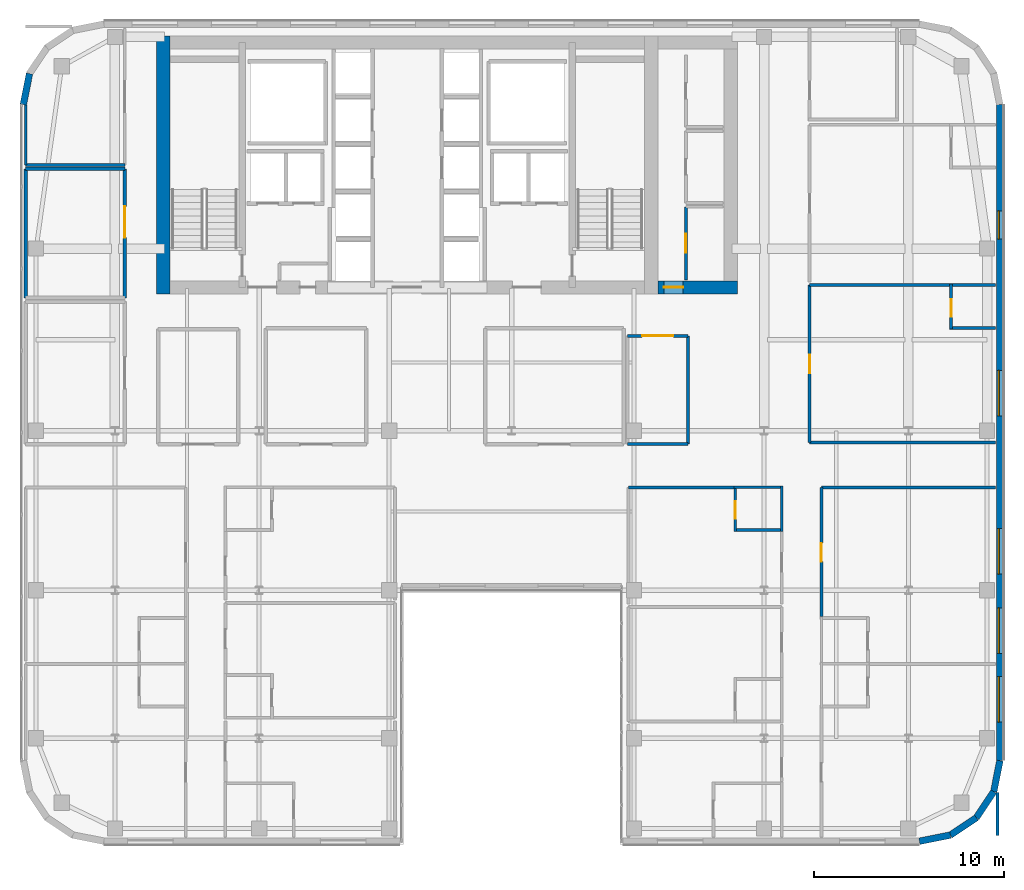
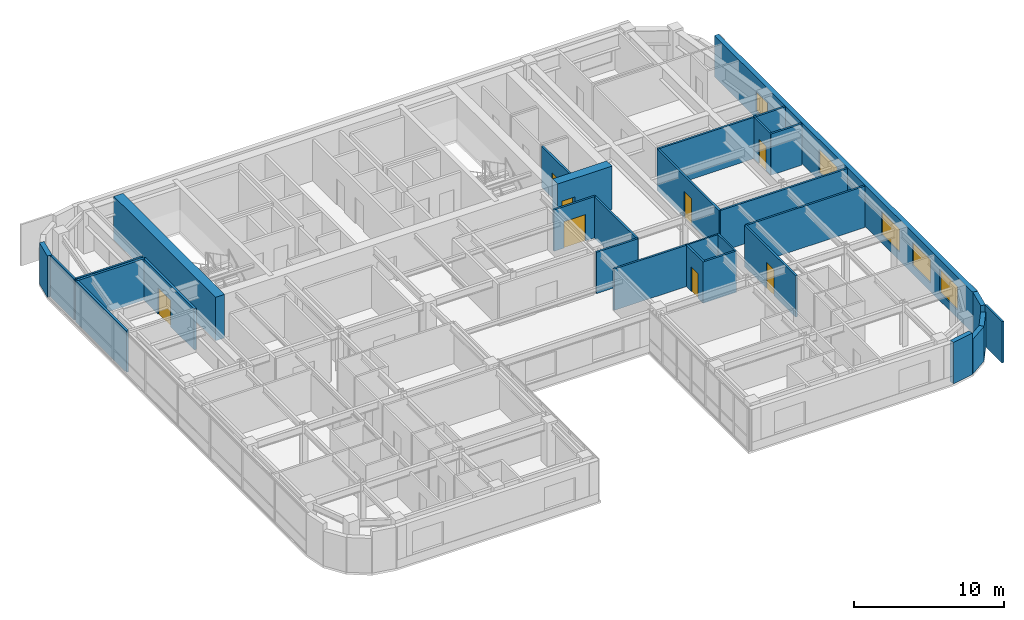
# One storey, part 20 of 28: 31 walls, 8 doors, 5 windows, 13 openings.
"""IFC4 building model written with IfcOpenShell, lengths in metres."""

from ifc_helpers import new_model, si_unit, direction, frame, frame_2d, origin, place, context, subcontext, project, spatial, rectangle, extrude, source, transform, mapped, material, layer, layer_set, type_object, type_shapes, element, fill, save


model = new_model("IFC4")

# Units and contexts
model_context = context("Model", 3, precision=1e-05, world=origin(), true_north=direction((0.0, 1.0)))
body_context = subcontext(model_context, "Body", "Model", "MODEL_VIEW")
ifc_project = project(units=[si_unit("LENGTHUNIT", "METRE"), si_unit("AREAUNIT", "SQUARE_METRE"), si_unit("VOLUMEUNIT", "CUBIC_METRE"), si_unit("PLANEANGLEUNIT", "RADIAN"), si_unit("MASSUNIT", "GRAM", prefix="KILO")], contexts=[model_context])

# Site, building, storey
site_placement = place(None, origin())
site = spatial("IfcSite", under=ifc_project, at=site_placement, CompositionType="ELEMENT")
building_placement = place(site_placement, origin())
building = spatial("IfcBuilding", under=site, at=building_placement, Name="Tolvann Quenvar Hotel", CompositionType="ELEMENT")
storey_placement = place(building_placement, frame((0.0, 0.0, 198.199951171875)))
storey = spatial("IfcBuildingStorey", under=building, at=storey_placement, Name="L52", CompositionType="ELEMENT", Elevation=198.199951171875)

# Wall
ifc_material_1 = material(Name="Concrete S65 (65 MPa)", Category="concrete")
ifc_layer_1 = layer(ifc_material_1, 0.699951171875)
ifc_layer_set_1 = layer_set([ifc_layer_1], Name="Concrete S65 (65 MPa)")
wall_type_1 = type_object("IfcWallType", Name="WALL_CORE_700", PredefinedType="SHEAR", material=ifc_layer_set_1)
wall_1_placement = place(storey_placement, frame((10.14990234375, 31.60009765625, 0.0), z_axis=(0.0, 0.0, 1.0), x_axis=(0.0, 1.0, 0.0)))
element("IfcWall", 1, at=wall_1_placement, inside=storey, type_object=wall_type_1, Name="Rear Core W Shear Wall (L52)", PredefinedType="SHEAR", context=body_context, shape_type="SweptSolid", body=[
    extrude(rectangle(XDim=13.599853515625, YDim=0.699951171875, at=frame_2d((6.7998046875, 0.0))), origin(), (0.0, 0.0, 1.0), 3.550048828125),
])

# Wall, opening, door
wall_2_placement = place(storey_placement, frame((36.199951171875, 31.949951171875, 0.0), z_axis=(0.0, 0.0, 1.0), x_axis=(1.0, 0.0, 0.0)))
wall_2 = element("IfcWall", 2, at=wall_2_placement, inside=storey, type_object=wall_type_1, Name="Core East Annex Shear Wall ANN-S (L52)", PredefinedType="SHEAR", context=body_context, shape_type="SweptSolid", body=[
    extrude(rectangle(XDim=4.199951171875, YDim=0.699951171875, at=frame_2d((2.10009765625, 0.0))), origin(), (0.0, 0.0, 1.0), 3.550048828125),
])
opening_1_placement = place(wall_2_placement, frame((1.340087890625, 0.0, 0.0), z_axis=(0.0, 0.0, 1.0), x_axis=(-1.0, 0.0, 0.0)))
opening_1 = element("IfcOpeningElement", 3, at=opening_1_placement, cuts=wall_2, Name="Opening HD-01", PredefinedType="OPENING", context=body_context, shape_type="SweptSolid", body=[
    extrude(rectangle(XDim=1.02001953125, YDim=2.030029296875, at=frame_2d((0.510009765625, 1.01513671875))), frame((0.0, 0.35986328125, 0.0), z_axis=(0.0, -1.0, 0.0), x_axis=(1.0, 0.0, 0.0)), (0.0, 0.0, 1.0), 0.719970703125),
])
ifc_material_2 = material(Name="Pressed galvanised steel fire-rated door set", Category="steel")
door_type_1 = type_object("IfcDoorType", Name="DOOR_BOH_1020", OperationType="NOTDEFINED", PredefinedType="DOOR", material=ifc_material_2)
shared_shape_1 = source(origin(), body_context, "Body", "SweptSolid", [
    extrude(rectangle(XDim=1.02001953125, YDim=2.030029296875, at=frame_2d((0.510009765625, 1.01513671875))), frame((0.0, 0.02490234375, 0.0), z_axis=(0.0, -1.0, 0.0), x_axis=(1.0, 0.0, 0.0)), (0.0, 0.0, 1.0), 0.050048828125),
])
type_shapes(door_type_1, [shared_shape_1])
door_1_placement = place(opening_1_placement, origin())
door_1 = element("IfcDoor", 4, at=door_1_placement, inside=storey, type_object=door_type_1, Name="Housekeeping Annex Fire Door (L52)", OperationType="SINGLE_SWING_LEFT", OverallHeight=2.030029296875, OverallWidth=1.02001953125, PredefinedType="DOOR", context=body_context, shape_type="MappedRepresentation", body=[
    mapped(shared_shape_1, transform((0.0, 0.0, 0.0), x_axis=(1.0, 0.0, 0.0), y_axis=(0.0, 1.0, 0.0), z_axis=(0.0, 0.0, 1.0), scale=1.0)),
])
fill(opening_1, door_1)

# Walls
ifc_material_3 = material(Name="Kiln-fired red and buff architectural clay brickwork and terracotta masonry", Category="masonry")
ifc_layer_2 = layer(ifc_material_3, 0.35009765625)
ifc_layer_set_2 = layer_set([ifc_layer_2], Name="Kiln-fired red and buff architectural clay brickwork and terracotta masonry")
wall_type_2 = type_object("IfcWallType", Name="WALL_EXT_BRICK_350", PredefinedType="SOLIDWALL", material=ifc_layer_set_2)
wall_3_placement = place(storey_placement, frame((49.98291015625, 2.77490234375, 0.0), z_axis=(0.0, 0.0, 1.0), x_axis=(0.980788844421, 0.195072403631, 0.0)))
element("IfcWall", 5, at=wall_3_placement, inside=storey, type_object=wall_type_2, Name="Exterior Chicago Brick Wall L52-E09", PredefinedType="SOLIDWALL", context=body_context, shape_type="SweptSolid", body=[
    extrude(rectangle(XDim=1.66455078125, YDim=0.35009765625, at=frame_2d((0.832275390625, 0.0))), origin(), (0.0, 0.0, 1.0), 3.3701171875),
])
for number, where, z_axis, x_axis, name in (
    (6, (51.615478515625, 3.099609375, 0.0), (0.0, 0.0, 1.0), (0.831434158098, 0.555623290322, 0.0), "Exterior Chicago Brick Wall L52-E10"),
    (7, (52.985107421875, 4.014892578125, 0.0), (0.0, 0.0, 1.0), (0.555623290322, 0.831434158098, 0.0), "Exterior Chicago Brick Wall L52-E11"),
):
    element("IfcWall", number, at=place(storey_placement, frame(where, z_axis=z_axis, x_axis=x_axis)), inside=storey, type_object=wall_type_2, Name=name, PredefinedType="SOLIDWALL", context=body_context, shape_type="SweptSolid", body=[
        extrude(rectangle(XDim=1.647216796875, YDim=0.35009765625, at=frame_2d((0.82373046875, 0.0))), origin(), (0.0, 0.0, 1.0), 2.83203125),
    ])
wall_4_placement = place(storey_placement, frame((53.900390625, 5.384521484375, 0.0), z_axis=(0.0, 0.0, 1.0), x_axis=(0.195072403631, 0.980788844421, 0.0)))
element("IfcWall", 8, at=wall_4_placement, inside=storey, type_object=wall_type_2, Name="Exterior Chicago Brick Wall L52-E12", PredefinedType="SOLIDWALL", context=body_context, shape_type="SweptSolid", body=[
    extrude(rectangle(XDim=1.66455078125, YDim=0.35009765625, at=frame_2d((0.832275390625, 0.0))), origin(), (0.0, 0.0, 1.0), 3.3701171875),
])

# Wall, openings, windows
wall_5_placement = place(storey_placement, frame((54.22509765625, 7.01708984375, 0.0), z_axis=(0.0, 0.0, 1.0), x_axis=(0.0, 1.0, 0.0)))
wall_5 = element("IfcWall", 9, at=wall_5_placement, inside=storey, type_object=wall_type_2, Name="Exterior Chicago Brick Wall L52-E13", PredefinedType="SOLIDWALL", context=body_context, shape_type="SweptSolid", body=[
    extrude(rectangle(XDim=34.565673828125, YDim=0.35009765625, at=frame_2d((17.28271484375, 0.0))), origin(), (0.0, 0.0, 1.0), 3.3701171875),
])
opening_2_placement = place(wall_5_placement, frame((2.034912109375, 0.0, 0.679931640625)))
opening_2 = element("IfcOpeningElement", 10, at=opening_2_placement, cuts=wall_5, Name="Opening W-01", PredefinedType="OPENING", context=body_context, shape_type="SweptSolid", body=[
    extrude(rectangle(XDim=2.39990234375, YDim=1.89990234375, at=frame_2d((1.199951171875, 0.949951171875))), frame((0.0, 0.18505859375, 0.0), z_axis=(0.0, -1.0, 0.0), x_axis=(1.0, 0.0, 0.0)), (0.0, 0.0, 1.0), 0.3701171875),
])
opening_3_placement = place(wall_5_placement, frame((5.656005859375, 0.0, 0.679931640625)))
opening_3 = element("IfcOpeningElement", 11, at=opening_3_placement, cuts=wall_5, Name="Opening W-01", PredefinedType="OPENING", context=body_context, shape_type="SweptSolid", body=[
    extrude(rectangle(XDim=2.39990234375, YDim=1.89990234375, at=frame_2d((1.199951171875, 0.949951171875))), frame((0.0, 0.18505859375, 0.0), z_axis=(0.0, -1.0, 0.0), x_axis=(1.0, 0.0, 0.0)), (0.0, 0.0, 1.0), 0.3701171875),
])
opening_4_placement = place(wall_5_placement, frame((9.826904296875, 0.0, 0.679931640625)))
opening_4 = element("IfcOpeningElement", 12, at=opening_4_placement, cuts=wall_5, Name="Opening W-01", PredefinedType="OPENING", context=body_context, shape_type="SweptSolid", body=[
    extrude(rectangle(XDim=2.39990234375, YDim=1.89990234375, at=frame_2d((1.199951171875, 0.949951171875))), frame((0.0, 0.18505859375, 0.0), z_axis=(0.0, -1.0, 0.0), x_axis=(1.0, 0.0, 0.0)), (0.0, 0.0, 1.0), 0.3701171875),
])
opening_5_placement = place(wall_5_placement, frame((18.16796875, 0.0, 0.679931640625)))
opening_5 = element("IfcOpeningElement", 13, at=opening_5_placement, cuts=wall_5, Name="Opening W-01", PredefinedType="OPENING", context=body_context, shape_type="SweptSolid", body=[
    extrude(rectangle(XDim=2.39990234375, YDim=1.89990234375, at=frame_2d((1.199951171875, 0.949951171875))), frame((0.0, 0.18505859375, 0.0), z_axis=(0.0, -1.0, 0.0), x_axis=(1.0, 0.0, 0.0)), (0.0, 0.0, 1.0), 0.3701171875),
])
opening_6_placement = place(wall_5_placement, frame((27.472900390625, 0.0, 0.6201171875)))
opening_6 = element("IfcOpeningElement", 14, at=opening_6_placement, cuts=wall_5, Name="Opening W-08", PredefinedType="OPENING", context=body_context, shape_type="SweptSolid", body=[
    extrude(rectangle(XDim=1.5, YDim=1.550048828125, at=frame_2d((0.75, 0.77490234375))), frame((0.0, 0.18505859375, 0.0), z_axis=(0.0, -1.0, 0.0), x_axis=(1.0, 0.0, 0.0)), (0.0, 0.0, 1.0), 0.3701171875),
])
ifc_material_4 = material(Name="Thermally broken bronze-anodised aluminium frame with double low-E glazing", Category="aluminium")
window_type_1 = type_object("IfcWindowType", Name="WIN_COR_1500x2050", PartitioningType="SINGLE_PANEL", PredefinedType="WINDOW", material=ifc_material_4)
shared_shape_2 = source(origin(), body_context, "Body", "SweptSolid", [
    extrude(rectangle(XDim=1.5, YDim=1.550048828125, at=frame_2d((0.75, 0.77490234375))), frame((0.0, 0.090087890625, 0.0), z_axis=(0.0, -1.0, 0.0), x_axis=(1.0, 0.0, 0.0)), (0.0, 0.0, 1.0), 0.06005859375),
])
type_shapes(window_type_1, [shared_shape_2])
window_1_placement = place(opening_6_placement, origin())
window_1 = element("IfcWindow", 15, at=window_1_placement, inside=storey, type_object=window_type_1, Name="Chicago Window W-08 (EW-L52-E13-WD05)", OverallHeight=1.550048828125, OverallWidth=1.5, PartitioningType="SINGLE_PANEL", PredefinedType="WINDOW", context=body_context, shape_type="MappedRepresentation", body=[
    mapped(shared_shape_2, transform((0.0, 0.0, 0.0), x_axis=(1.0, 0.0, 0.0), y_axis=(0.0, 1.0, 0.0), z_axis=(0.0, 0.0, 1.0), scale=1.0)),
])
fill(opening_6, window_1)
window_type_2 = type_object("IfcWindowType", Name="WIN_CHI_2400x2050", PartitioningType="TRIPLE_PANEL_HORIZONTAL", PredefinedType="WINDOW", material=ifc_material_4)
shared_shape_3 = source(origin(), body_context, "Body", "SweptSolid", [
    extrude(rectangle(XDim=2.39990234375, YDim=1.89990234375, at=frame_2d((1.199951171875, 0.949951171875))), frame((0.0, 0.090087890625, 0.0), z_axis=(0.0, -1.0, 0.0), x_axis=(1.0, 0.0, 0.0)), (0.0, 0.0, 1.0), 0.06005859375),
])
type_shapes(window_type_2, [shared_shape_3])
window_2_placement = place(opening_2_placement, origin())
window_2 = element("IfcWindow", 16, at=window_2_placement, inside=storey, type_object=window_type_2, Name="Chicago Window W-01 (EW-L52-E13-W01)", OverallHeight=1.89990234375, OverallWidth=2.39990234375, PartitioningType="TRIPLE_PANEL_HORIZONTAL", PredefinedType="WINDOW", context=body_context, shape_type="MappedRepresentation", body=[
    mapped(shared_shape_3, transform((0.0, 0.0, 0.0), x_axis=(1.0, 0.0, 0.0), y_axis=(0.0, 1.0, 0.0), z_axis=(0.0, 0.0, 1.0), scale=1.0)),
])
fill(opening_2, window_2)
window_3_placement = place(opening_3_placement, origin())
window_3 = element("IfcWindow", 17, at=window_3_placement, inside=storey, type_object=window_type_2, Name="Chicago Window W-01 (EW-L52-E13-W02)", OverallHeight=1.89990234375, OverallWidth=2.39990234375, PartitioningType="TRIPLE_PANEL_HORIZONTAL", PredefinedType="WINDOW", context=body_context, shape_type="MappedRepresentation", body=[
    mapped(shared_shape_3, transform((0.0, 0.0, 0.0), x_axis=(1.0, 0.0, 0.0), y_axis=(0.0, 1.0, 0.0), z_axis=(0.0, 0.0, 1.0), scale=1.0)),
])
fill(opening_3, window_3)
window_4_placement = place(opening_4_placement, origin())
window_4 = element("IfcWindow", 18, at=window_4_placement, inside=storey, type_object=window_type_2, Name="Chicago Window W-01 (EW-L52-E13-W03)", OverallHeight=1.89990234375, OverallWidth=2.39990234375, PartitioningType="TRIPLE_PANEL_HORIZONTAL", PredefinedType="WINDOW", context=body_context, shape_type="MappedRepresentation", body=[
    mapped(shared_shape_3, transform((0.0, 0.0, 0.0), x_axis=(1.0, 0.0, 0.0), y_axis=(0.0, 1.0, 0.0), z_axis=(0.0, 0.0, 1.0), scale=1.0)),
])
fill(opening_4, window_4)
window_5_placement = place(opening_5_placement, origin())
window_5 = element("IfcWindow", 19, at=window_5_placement, inside=storey, type_object=window_type_2, Name="Chicago Window W-01 (EW-L52-E13-W04)", OverallHeight=1.89990234375, OverallWidth=2.39990234375, PartitioningType="TRIPLE_PANEL_HORIZONTAL", PredefinedType="WINDOW", context=body_context, shape_type="MappedRepresentation", body=[
    mapped(shared_shape_3, transform((0.0, 0.0, 0.0), x_axis=(1.0, 0.0, 0.0), y_axis=(0.0, 1.0, 0.0), z_axis=(0.0, 0.0, 1.0), scale=1.0)),
])
fill(opening_5, window_5)

# Walls
wall_6_placement = place(storey_placement, frame((3.099609375, 43.215576171875, 0.0), z_axis=(0.0, 0.0, 1.0), x_axis=(-0.195044345786, -0.980794424524, 0.0)))
element("IfcWall", 20, at=wall_6_placement, inside=storey, type_object=wall_type_2, Name="Exterior Chicago Brick Wall L52-E22", PredefinedType="SOLIDWALL", context=body_context, shape_type="SweptSolid", body=[
    extrude(rectangle(XDim=1.664794921875, YDim=0.35009765625, at=frame_2d((0.83251953125, 0.0))), origin(), (0.0, 0.0, 1.0), 3.3701171875),
])
ifc_material_5 = material(Name="Acoustic twin-stud fire-rated gypsum plasterboard partition")
ifc_layer_3 = layer(ifc_material_5, 0.179931640625)
ifc_layer_set_3 = layer_set([ifc_layer_3], Name="Acoustic twin-stud fire-rated gypsum plasterboard partition")
wall_type_3 = type_object("IfcWallType", Name="WALL_PART_ACOUSTIC_180", PredefinedType="PARTITIONING", material=ifc_layer_set_3)
wall_7_placement = place(storey_placement, frame((2.89990234375, 38.199951171875, 0.0), z_axis=(0.0, 0.0, 1.0), x_axis=(1.0, 0.0, 0.0)))
element("IfcWall", 21, at=wall_7_placement, inside=storey, type_object=wall_type_3, Name="Interior Partition PT-SPC-L52-MTG-N", PredefinedType="PARTITIONING", context=body_context, shape_type="SweptSolid", body=[
    extrude(rectangle(XDim=5.22021484375, YDim=0.179931640625, at=frame_2d((2.610107421875, 0.0))), origin(), (0.0, 0.0, 1.0), 3.3701171875),
])
wall_8_placement = place(storey_placement, frame((2.89990234375, 31.39990234375, 0.0), z_axis=(0.0, 0.0, 1.0), x_axis=(0.0, 1.0, 0.0)))
element("IfcWall", 22, at=wall_8_placement, inside=storey, type_object=wall_type_3, Name="Interior Partition PT-SPC-L52-MTG-W", PredefinedType="PARTITIONING", context=body_context, shape_type="SweptSolid", body=[
    extrude(rectangle(XDim=6.800048828125, YDim=0.179931640625, at=frame_2d((3.39990234375, 0.0))), origin(), (0.0, 0.0, 1.0), 3.3701171875),
])

# Wall, opening, door
wall_9_placement = place(storey_placement, frame((8.1201171875, 31.39990234375, 0.0), z_axis=(0.0, 0.0, 1.0), x_axis=(0.0, 1.0, 0.0)))
wall_9 = element("IfcWall", 23, at=wall_9_placement, inside=storey, type_object=wall_type_3, Name="Interior Partition PT-SPC-L52-MTG-E", PredefinedType="PARTITIONING", context=body_context, shape_type="SweptSolid", body=[
    extrude(rectangle(XDim=6.800048828125, YDim=0.179931640625, at=frame_2d((3.39990234375, 0.0))), origin(), (0.0, 0.0, 1.0), 3.3701171875),
])
opening_7_placement = place(wall_9_placement, frame((3.175048828125, 0.0, 0.0)))
opening_7 = element("IfcOpeningElement", 24, at=opening_7_placement, cuts=wall_9, Name="Opening AD-01", PredefinedType="OPENING", context=body_context, shape_type="SweptSolid", body=[
    extrude(rectangle(XDim=1.64990234375, YDim=2.14990234375, at=frame_2d((0.824951171875, 1.074951171875))), frame((0.0, 0.10009765625, 0.0), z_axis=(0.0, -1.0, 0.0), x_axis=(1.0, 0.0, 0.0)), (0.0, 0.0, 1.0), 0.199951171875),
])
ifc_material_6 = material(Name="Solid-core American oak acoustic fire door leaf in steel frame", Category="steel")
door_type_2 = type_object("IfcDoorType", Name="DOOR_SALON_1650", OperationType="NOTDEFINED", PredefinedType="DOOR", material=ifc_material_6)
shared_shape_4 = source(origin(), body_context, "Body", "SweptSolid", [
    extrude(rectangle(XDim=1.64990234375, YDim=2.14990234375, at=frame_2d((0.824951171875, 1.074951171875))), frame((0.0, 0.02490234375, 0.0), z_axis=(0.0, -1.0, 0.0), x_axis=(1.0, 0.0, 0.0)), (0.0, 0.0, 1.0), 0.050048828125),
])
type_shapes(door_type_2, [shared_shape_4])
door_2_placement = place(opening_7_placement, origin())
door_2 = element("IfcDoor", 25, at=door_2_placement, inside=storey, type_object=door_type_2, Name="Interior Door DOOR-SPC-L52-MTG", OperationType="DOUBLE_DOOR_SINGLE_SWING", OverallHeight=2.14990234375, OverallWidth=1.64990234375, PredefinedType="DOOR", context=body_context, shape_type="MappedRepresentation", body=[
    mapped(shared_shape_4, transform((0.0, 0.0, 0.0), x_axis=(1.0, 0.0, 0.0), y_axis=(0.0, 1.0, 0.0), z_axis=(0.0, 0.0, 1.0), scale=1.0)),
])
fill(opening_7, door_2)

# Walls
ifc_material_7 = material(Name="Moisture-resistant acoustic plumbing wall assembly")
ifc_layer_4 = layer(ifc_material_7, 0.1201171875)
ifc_layer_set_4 = layer_set([ifc_layer_4], Name="Moisture-resistant acoustic plumbing wall assembly")
wall_type_4 = type_object("IfcWallType", Name="WALL_PART_BATH_120", PredefinedType="PLUMBINGWALL", material=ifc_layer_set_4)
wall_10_placement = place(storey_placement, frame((40.2099609375, 21.419921875, 0.0), z_axis=(0.0, 0.0, 1.0), x_axis=(1.0, 0.0, 0.0)))
element("IfcWall", 26, at=wall_10_placement, inside=storey, type_object=wall_type_4, Name="Non-Rated Plumbing Partition PT-SPC-L52-ENS-EI03-N", PredefinedType="PLUMBINGWALL", context=body_context, shape_type="SweptSolid", body=[
    extrude(rectangle(XDim=2.590087890625, YDim=0.1201171875, at=frame_2d((1.294921875, 0.0))), origin(), (0.0, 0.0, 1.0), 3.3701171875),
])
wall_11_placement = place(storey_placement, frame((42.72998046875, 19.10009765625, 0.0), z_axis=(0.0, 0.0, 1.0), x_axis=(0.0, 1.0, 0.0)))
element("IfcWall", 27, at=wall_11_placement, inside=storey, type_object=wall_type_4, Name="Non-Rated Plumbing Partition PT-SPC-L52-ENS-EI03-E", PredefinedType="PLUMBINGWALL", context=body_context, shape_type="SweptSolid", body=[
    extrude(rectangle(XDim=2.389892578125, YDim=0.1201171875, at=frame_2d((1.19482421875, 0.0))), origin(), (0.0, 0.0, 1.0), 3.3701171875),
])

# Wall, opening, door
ifc_layer_5 = layer(ifc_material_5, 0.14990234375)
ifc_layer_set_5 = layer_set([ifc_layer_5], Name="Acoustic twin-stud fire-rated gypsum plasterboard partition")
wall_type_5 = type_object("IfcWallType", Name="WALL_PART_SUITE_150", PredefinedType="PARTITIONING", material=ifc_layer_set_5)
wall_12_placement = place(storey_placement, frame((40.280029296875, 19.10009765625, 0.0), z_axis=(0.0, 0.0, 1.0), x_axis=(0.0, 1.0, 0.0)))
wall_12 = element("IfcWall", 28, at=wall_12_placement, inside=storey, type_object=wall_type_5, Name="Interior Partition PT-SPC-L52-ENS-EI03-ENT", PredefinedType="PARTITIONING", context=body_context, shape_type="SweptSolid", body=[
    extrude(rectangle(XDim=2.389892578125, YDim=0.14990234375, at=frame_2d((1.19482421875, 0.0))), origin(), (0.0, 0.0, 1.0), 3.3701171875),
])
opening_8_placement = place(wall_12_placement, frame((0.6650390625, 0.0, 0.0)))
opening_8 = element("IfcOpeningElement", 29, at=opening_8_placement, cuts=wall_12, Name="Opening WD-01", PredefinedType="OPENING", context=body_context, shape_type="SweptSolid", body=[
    extrude(rectangle(XDim=0.919921875, YDim=2.010009765625, at=frame_2d((0.4599609375, 1.0048828125))), frame((0.0, 0.0849609375, 0.0), z_axis=(0.0, -1.0, 0.0), x_axis=(1.0, 0.0, 0.0)), (0.0, 0.0, 1.0), 0.169921875),
])
door_type_3 = type_object("IfcDoorType", Name="DOOR_WC_920", OperationType="NOTDEFINED", PredefinedType="DOOR", material=ifc_material_6)
shared_shape_5 = source(origin(), body_context, "Body", "SweptSolid", [
    extrude(rectangle(XDim=0.919921875, YDim=2.010009765625, at=frame_2d((0.4599609375, 1.0048828125))), frame((0.0, 0.02490234375, 0.0), z_axis=(0.0, -1.0, 0.0), x_axis=(1.0, 0.0, 0.0)), (0.0, 0.0, 1.0), 0.050048828125),
])
type_shapes(door_type_3, [shared_shape_5])
door_3_placement = place(opening_8_placement, origin())
door_3 = element("IfcDoor", 30, at=door_3_placement, inside=storey, type_object=door_type_3, Name="Interior Door DOOR-SPC-L52-ENS-EI03", OperationType="SINGLE_SWING_RIGHT", OverallHeight=2.010009765625, OverallWidth=0.919921875, PredefinedType="DOOR", context=body_context, shape_type="MappedRepresentation", body=[
    mapped(shared_shape_5, transform((0.0, 0.0, 0.0), x_axis=(1.0, 0.0, 0.0), y_axis=(0.0, 1.0, 0.0), z_axis=(0.0, 0.0, 1.0), scale=1.0)),
])
fill(opening_8, door_3)

# Wall
wall_13_placement = place(storey_placement, frame((40.2099609375, 19.169921875, 0.0), z_axis=(0.0, 0.0, 1.0), x_axis=(1.0, 0.0, 0.0)))
element("IfcWall", 31, at=wall_13_placement, inside=storey, type_object=wall_type_5, Name="Interior Partition PT-SPC-L52-ENS-EI03-S", PredefinedType="PARTITIONING", context=body_context, shape_type="SweptSolid", body=[
    extrude(rectangle(XDim=2.590087890625, YDim=0.14990234375, at=frame_2d((1.294921875, 0.0))), origin(), (0.0, 0.0, 1.0), 3.3701171875),
])

# Wall, opening, door
wall_14_placement = place(storey_placement, frame((51.64990234375, 29.75, 0.0), z_axis=(0.0, 0.0, 1.0), x_axis=(0.0, 1.0, 0.0)))
wall_14 = element("IfcWall", 32, at=wall_14_placement, inside=storey, type_object=wall_type_5, Name="Interior Partition PT-SPC-L52-ENS-NE01-ENT", PredefinedType="PARTITIONING", context=body_context, shape_type="SweptSolid", body=[
    extrude(rectangle(XDim=2.389892578125, YDim=0.14990234375, at=frame_2d((1.19482421875, 0.0))), origin(), (0.0, 0.0, 1.0), 3.3701171875),
])
opening_9_placement = place(wall_14_placement, frame((0.6650390625, 0.0, 0.0)))
opening_9 = element("IfcOpeningElement", 33, at=opening_9_placement, cuts=wall_14, Name="Opening WD-01", PredefinedType="OPENING", context=body_context, shape_type="SweptSolid", body=[
    extrude(rectangle(XDim=0.919921875, YDim=2.010009765625, at=frame_2d((0.4599609375, 1.0048828125))), frame((0.0, 0.0849609375, 0.0), z_axis=(0.0, -1.0, 0.0), x_axis=(1.0, 0.0, 0.0)), (0.0, 0.0, 1.0), 0.169921875),
])
door_4_placement = place(opening_9_placement, origin())
door_4 = element("IfcDoor", 34, at=door_4_placement, inside=storey, type_object=door_type_3, Name="Interior Door DOOR-SPC-L52-ENS-NE01", OperationType="SINGLE_SWING_LEFT", OverallHeight=2.010009765625, OverallWidth=0.919921875, PredefinedType="DOOR", context=body_context, shape_type="MappedRepresentation", body=[
    mapped(shared_shape_5, transform((0.0, 0.0, 0.0), x_axis=(1.0, 0.0, 0.0), y_axis=(0.0, 1.0, 0.0), z_axis=(0.0, 0.0, 1.0), scale=1.0)),
])
fill(opening_9, door_4)

# Walls
for number, where, z_axis, x_axis, name in (
    (35, (51.580078125, 29.820068359375, 0.0), (0.0, 0.0, 1.0), (1.0, 0.0, 0.0), "Interior Partition PT-SPC-L52-ENS-NE01-S"),
    (36, (51.580078125, 32.070068359375, 0.0), (0.0, 0.0, 1.0), (1.0, 0.0, 0.0), "Interior Partition PT-SPC-L52-ENS-NE01-N"),
):
    element("IfcWall", number, at=place(storey_placement, frame(where, z_axis=z_axis, x_axis=x_axis)), inside=storey, type_object=wall_type_5, Name=name, PredefinedType="PARTITIONING", context=body_context, shape_type="SweptSolid", body=[
        extrude(rectangle(XDim=2.4150390625, YDim=0.14990234375, at=frame_2d((1.20751953125, 0.0))), origin(), (0.0, 0.0, 1.0), 3.3701171875),
    ])

# Wall, opening, door
wall_15_placement = place(storey_placement, frame((37.679931640625, 32.35498046875, 0.0), z_axis=(0.0, 0.0, 1.0), x_axis=(0.0, 1.0, 0.0)))
wall_15 = element("IfcWall", 37, at=wall_15_placement, inside=storey, type_object=wall_type_5, Name="Interior Partition PT-SPC-L52-RECPL-1-W", PredefinedType="PARTITIONING", context=body_context, shape_type="SweptSolid", body=[
    extrude(rectangle(XDim=3.844970703125, YDim=0.14990234375, at=frame_2d((1.92236328125, 0.0))), origin(), (0.0, 0.0, 1.0), 3.3701171875),
])
opening_10_placement = place(wall_15_placement, frame((1.41259765625, 0.0, 0.0)))
opening_10 = element("IfcOpeningElement", 38, at=opening_10_placement, cuts=wall_15, Name="Opening HD-01", PredefinedType="OPENING", context=body_context, shape_type="SweptSolid", body=[
    extrude(rectangle(XDim=1.02001953125, YDim=2.030029296875, at=frame_2d((0.510009765625, 1.01513671875))), frame((0.0, 0.0849609375, 0.0), z_axis=(0.0, -1.0, 0.0), x_axis=(1.0, 0.0, 0.0)), (0.0, 0.0, 1.0), 0.169921875),
])
door_5_placement = place(opening_10_placement, origin())
door_5 = element("IfcDoor", 39, at=door_5_placement, inside=storey, type_object=door_type_1, Name="Interior Door DOOR-SPC-L52-RECPL-1", OperationType="SINGLE_SWING_LEFT", OverallHeight=2.030029296875, OverallWidth=1.02001953125, PredefinedType="DOOR", context=body_context, shape_type="MappedRepresentation", body=[
    mapped(shared_shape_1, transform((0.0, 0.0, 0.0), x_axis=(1.0, 0.0, 0.0), y_axis=(0.0, 1.0, 0.0), z_axis=(0.0, 0.0, 1.0), scale=1.0)),
])
fill(opening_10, door_5)

# Walls
wall_16_placement = place(storey_placement, frame((34.64990234375, 21.419921875, 0.0), z_axis=(0.0, 0.0, 1.0), x_axis=(1.0, 0.0, 0.0)))
element("IfcWall", 40, at=wall_16_placement, inside=storey, type_object=wall_type_5, Name="Interior Partition PT-SPC-L52-RM-EI03-E5", PredefinedType="PARTITIONING", context=body_context, shape_type="SweptSolid", body=[
    extrude(rectangle(XDim=5.610107421875, YDim=0.14990234375, at=frame_2d((2.80517578125, 0.0))), origin(), (0.0, 0.0, 1.0), 3.3701171875),
])
wall_17_placement = place(storey_placement, frame((54.10009765625, 3.080078125, 0.0), z_axis=(0.0, 0.0, 1.0), x_axis=(0.0, 1.0, 0.0)))
element("IfcWall", 41, at=wall_17_placement, inside=storey, type_object=wall_type_5, Name="Interior Partition PT-SPC-L52-RM-EO01-E2", PredefinedType="PARTITIONING", context=body_context, shape_type="SweptSolid", body=[
    extrude(rectangle(XDim=2.264892578125, YDim=0.14990234375, at=frame_2d((1.13232421875, 0.0))), origin(), (0.0, 0.0, 1.0), 3.3701171875),
])

# Wall, opening, door
wall_18_placement = place(storey_placement, frame((44.820068359375, 14.610107421875, 0.0), z_axis=(0.0, 0.0, 1.0), x_axis=(0.0, 1.0, 0.0)))
wall_18 = element("IfcWall", 42, at=wall_18_placement, inside=storey, type_object=wall_type_5, Name="Interior Partition PT-SPC-L52-RM-EO02-ENT", PredefinedType="PARTITIONING", context=body_context, shape_type="SweptSolid", body=[
    extrude(rectangle(XDim=6.809814453125, YDim=0.14990234375, at=frame_2d((3.40478515625, 0.0))), origin(), (0.0, 0.0, 1.0), 3.3701171875),
])
opening_11_placement = place(wall_18_placement, frame((2.89501953125, 0.0, 0.0)))
opening_11 = element("IfcOpeningElement", 43, at=opening_11_placement, cuts=wall_18, Name="Opening SD-01", PredefinedType="OPENING", context=body_context, shape_type="SweptSolid", body=[
    extrude(rectangle(XDim=0.97998046875, YDim=2.1201171875, at=frame_2d((0.489990234375, 1.06005859375))), frame((0.0, 0.0849609375, 0.0), z_axis=(0.0, -1.0, 0.0), x_axis=(1.0, 0.0, 0.0)), (0.0, 0.0, 1.0), 0.169921875),
])
door_type_4 = type_object("IfcDoorType", Name="DOOR_SUITE_980", OperationType="NOTDEFINED", PredefinedType="DOOR", material=ifc_material_6)
shared_shape_6 = source(origin(), body_context, "Body", "SweptSolid", [
    extrude(rectangle(XDim=0.97998046875, YDim=2.1201171875, at=frame_2d((0.489990234375, 1.06005859375))), frame((0.0, 0.02490234375, 0.0), z_axis=(0.0, -1.0, 0.0), x_axis=(1.0, 0.0, 0.0)), (0.0, 0.0, 1.0), 0.050048828125),
])
type_shapes(door_type_4, [shared_shape_6])
door_6_placement = place(opening_11_placement, origin())
door_6 = element("IfcDoor", 44, at=door_6_placement, inside=storey, type_object=door_type_4, Name="Interior Door DOOR-SPC-L52-RM-EO02", OperationType="SINGLE_SWING_LEFT", OverallHeight=2.1201171875, OverallWidth=0.97998046875, PredefinedType="DOOR", context=body_context, shape_type="MappedRepresentation", body=[
    mapped(shared_shape_6, transform((0.0, 0.0, 0.0), x_axis=(1.0, 0.0, 0.0), y_axis=(0.0, 1.0, 0.0), z_axis=(0.0, 0.0, 1.0), scale=1.0)),
])
fill(opening_11, door_6)

# Walls
wall_19_placement = place(storey_placement, frame((44.820068359375, 21.419921875, 0.0), z_axis=(0.0, 0.0, 1.0), x_axis=(1.0, 0.0, 0.0)))
element("IfcWall", 45, at=wall_19_placement, inside=storey, type_object=wall_type_5, Name="Interior Partition PT-SPC-L52-RM-EO02-E5", PredefinedType="PARTITIONING", context=body_context, shape_type="SweptSolid", body=[
    extrude(rectangle(XDim=9.175048828125, YDim=0.14990234375, at=frame_2d((4.58740234375, 0.0))), origin(), (0.0, 0.0, 1.0), 3.3701171875),
])
wall_20_placement = place(storey_placement, frame((2.89990234375, 38.39990234375, 0.0), z_axis=(0.0, 0.0, 1.0), x_axis=(1.0, 0.0, 0.0)))
element("IfcWall", 46, at=wall_20_placement, inside=storey, type_object=wall_type_5, Name="Interior Partition PT-SPC-L52-TEA-S", PredefinedType="PARTITIONING", context=body_context, shape_type="SweptSolid", body=[
    extrude(rectangle(XDim=5.22021484375, YDim=0.14990234375, at=frame_2d((2.610107421875, 0.0))), origin(), (0.0, 0.0, 1.0), 3.3701171875),
])
wall_21_placement = place(storey_placement, frame((2.89990234375, 38.39990234375, 0.0), z_axis=(0.0, 0.0, 1.0), x_axis=(0.0, 1.0, 0.0)))
element("IfcWall", 47, at=wall_21_placement, inside=storey, type_object=wall_type_5, Name="Interior Partition PT-SPC-L52-TEA-W", PredefinedType="PARTITIONING", context=body_context, shape_type="SweptSolid", body=[
    extrude(rectangle(XDim=3.158203125, YDim=0.14990234375, at=frame_2d((1.5791015625, 0.0))), origin(), (0.0, 0.0, 1.0), 3.3701171875),
])

# Wall, opening, door
wall_22_placement = place(storey_placement, frame((44.199951171875, 23.780029296875, 0.0), z_axis=(0.0, 0.0, 1.0), x_axis=(0.0, 1.0, 0.0)))
wall_22 = element("IfcWall", 48, at=wall_22_placement, inside=storey, type_object=wall_type_5, Name="Interior Partition PT-SPC-L52-RM-NE01-ENT", PredefinedType="PARTITIONING", context=body_context, shape_type="SweptSolid", body=[
    extrude(rectangle(XDim=8.2900390625, YDim=0.14990234375, at=frame_2d((4.14501953125, 0.0))), origin(), (0.0, 0.0, 1.0), 3.3701171875),
])
opening_12_placement = place(wall_22_placement, frame((3.655029296875, 0.0, 0.0)))
opening_12 = element("IfcOpeningElement", 49, at=opening_12_placement, cuts=wall_22, Name="Opening SD-01", PredefinedType="OPENING", context=body_context, shape_type="SweptSolid", body=[
    extrude(rectangle(XDim=0.97998046875, YDim=2.1201171875, at=frame_2d((0.489990234375, 1.06005859375))), frame((0.0, 0.0849609375, 0.0), z_axis=(0.0, -1.0, 0.0), x_axis=(1.0, 0.0, 0.0)), (0.0, 0.0, 1.0), 0.169921875),
])
door_7_placement = place(opening_12_placement, origin())
door_7 = element("IfcDoor", 50, at=door_7_placement, inside=storey, type_object=door_type_4, Name="Interior Door DOOR-SPC-L52-RM-NE01", OperationType="SINGLE_SWING_RIGHT", OverallHeight=2.1201171875, OverallWidth=0.97998046875, PredefinedType="DOOR", context=body_context, shape_type="MappedRepresentation", body=[
    mapped(shared_shape_6, transform((0.0, 0.0, 0.0), x_axis=(1.0, 0.0, 0.0), y_axis=(0.0, 1.0, 0.0), z_axis=(0.0, 0.0, 1.0), scale=1.0)),
])
fill(opening_12, door_7)

# Walls
wall_23_placement = place(storey_placement, frame((44.199951171875, 23.780029296875, 0.0), z_axis=(0.0, 0.0, 1.0), x_axis=(1.0, 0.0, 0.0)))
element("IfcWall", 51, at=wall_23_placement, inside=storey, type_object=wall_type_5, Name="Interior Partition PT-SPC-L52-RM-NE01-E1", PredefinedType="PARTITIONING", context=body_context, shape_type="SweptSolid", body=[
    extrude(rectangle(XDim=9.795166015625, YDim=0.14990234375, at=frame_2d((4.8974609375, 0.0))), origin(), (0.0, 0.0, 1.0), 3.3701171875),
])
wall_24_placement = place(storey_placement, frame((44.199951171875, 32.070068359375, 0.0), z_axis=(0.0, 0.0, 1.0), x_axis=(1.0, 0.0, 0.0)))
element("IfcWall", 52, at=wall_24_placement, inside=storey, type_object=wall_type_5, Name="Interior Partition PT-SPC-L52-RM-NE01-E5", PredefinedType="PARTITIONING", context=body_context, shape_type="SweptSolid", body=[
    extrude(rectangle(XDim=7.429931640625, YDim=0.14990234375, at=frame_2d((3.71484375, 0.0))), origin(), (0.0, 0.0, 1.0), 3.3701171875),
])
wall_25_placement = place(storey_placement, frame((34.60009765625, 23.699951171875, 0.0), z_axis=(0.0, 0.0, 1.0), x_axis=(1.0, 0.0, 0.0)))
element("IfcWall", 53, at=wall_25_placement, inside=storey, type_object=wall_type_5, Name="Interior Partition PT-SPC-L52-MSP-E-S", PredefinedType="PARTITIONING", context=body_context, shape_type="SweptSolid", body=[
    extrude(rectangle(XDim=3.199951171875, YDim=0.14990234375, at=frame_2d((1.60009765625, 0.0))), origin(), (0.0, 0.0, 1.0), 3.3701171875),
])

# Wall, opening, door
wall_26_placement = place(storey_placement, frame((34.60009765625, 29.39990234375, 0.0), z_axis=(0.0, 0.0, 1.0), x_axis=(1.0, 0.0, 0.0)))
wall_26 = element("IfcWall", 54, at=wall_26_placement, inside=storey, type_object=wall_type_5, Name="Interior Partition PT-SPC-L52-MSP-E-N", PredefinedType="PARTITIONING", context=body_context, shape_type="SweptSolid", body=[
    extrude(rectangle(XDim=3.199951171875, YDim=0.14990234375, at=frame_2d((1.60009765625, 0.0))), origin(), (0.0, 0.0, 1.0), 3.3701171875),
])
opening_13_placement = place(wall_26_placement, frame((0.77490234375, 0.0, 0.0)))
opening_13 = element("IfcOpeningElement", 55, at=opening_13_placement, cuts=wall_26, Name="Opening AD-01", PredefinedType="OPENING", context=body_context, shape_type="SweptSolid", body=[
    extrude(rectangle(XDim=1.64990234375, YDim=2.14990234375, at=frame_2d((0.824951171875, 1.074951171875))), frame((0.0, 0.0849609375, 0.0), z_axis=(0.0, -1.0, 0.0), x_axis=(1.0, 0.0, 0.0)), (0.0, 0.0, 1.0), 0.169921875),
])
door_8_placement = place(opening_13_placement, origin())
door_8 = element("IfcDoor", 56, at=door_8_placement, inside=storey, type_object=door_type_2, Name="Interior Door DOOR-SPC-L52-MSP-E", OperationType="DOUBLE_DOOR_SINGLE_SWING", OverallHeight=2.14990234375, OverallWidth=1.64990234375, PredefinedType="DOOR", context=body_context, shape_type="MappedRepresentation", body=[
    mapped(shared_shape_4, transform((0.0, 0.0, 0.0), x_axis=(1.0, 0.0, 0.0), y_axis=(0.0, 1.0, 0.0), z_axis=(0.0, 0.0, 1.0), scale=1.0)),
])
fill(opening_13, door_8)

# Wall
wall_27_placement = place(storey_placement, frame((37.800048828125, 23.699951171875, 0.0), z_axis=(0.0, 0.0, 1.0), x_axis=(0.0, 1.0, 0.0)))
element("IfcWall", 57, at=wall_27_placement, inside=storey, type_object=wall_type_5, Name="Interior Partition PT-SPC-L52-MSP-E-E", PredefinedType="PARTITIONING", context=body_context, shape_type="SweptSolid", body=[
    extrude(rectangle(XDim=5.699951171875, YDim=0.14990234375, at=frame_2d((2.85009765625, 0.0))), origin(), (0.0, 0.0, 1.0), 3.3701171875),
])

save(model, "model.ifc")
